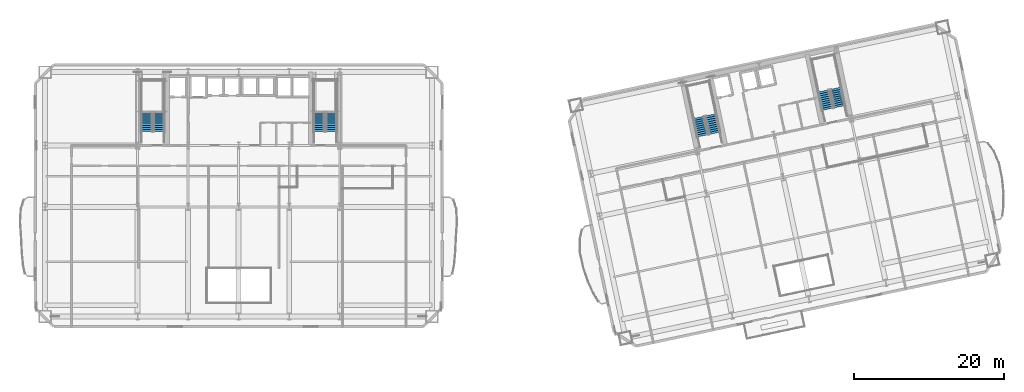
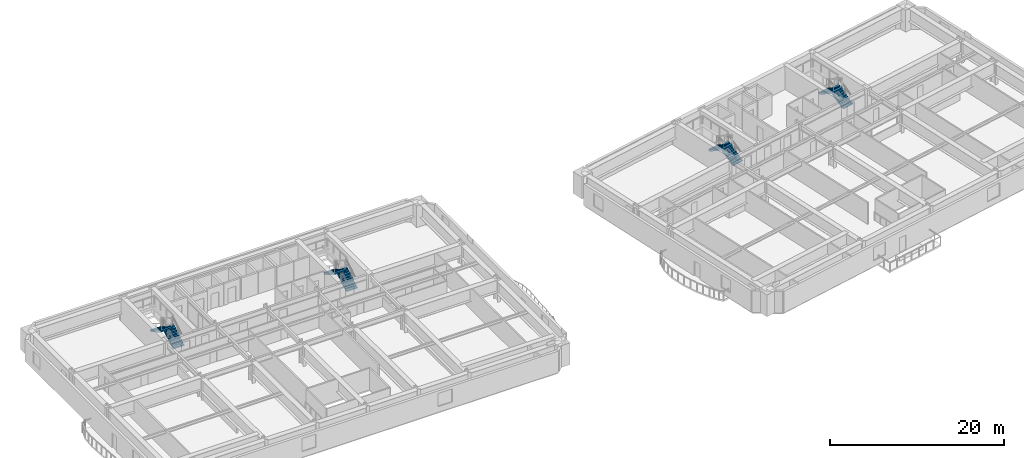
# One storey, part 11 of 18: 8 stair flights, 4 elements without a shape of their own.
"""IFC4 building model written with IfcOpenShell, lengths in metres."""

from ifc_helpers import new_model, si_unit, direction, frame, origin, place, context, subcontext, project, spatial, polyline, outline, extrude, material, type_object, element, aggregate, save


model = new_model("IFC4")

# Units and contexts
model_context = context("Model", 3, precision=1e-05, world=origin(), true_north=direction((0.0, 1.0)))
body_context = subcontext(model_context, "Body", "Model", "MODEL_VIEW")
ifc_project = project(units=[si_unit("LENGTHUNIT", "METRE"), si_unit("AREAUNIT", "SQUARE_METRE"), si_unit("VOLUMEUNIT", "CUBIC_METRE"), si_unit("PLANEANGLEUNIT", "RADIAN"), si_unit("MASSUNIT", "GRAM", prefix="KILO")], contexts=[model_context])

# Site, building, storey
site_placement = place(None, origin())
site = spatial("IfcSite", under=ifc_project, at=site_placement, CompositionType="ELEMENT")
building_placement = place(site_placement, origin())
building = spatial("IfcBuilding", under=site, at=building_placement, Name="Haevon Station Towers", CompositionType="ELEMENT")
storey_placement = place(building_placement, frame((0.0, 0.0, 47.10009765625)))
storey = spatial("IfcBuildingStorey", under=building, at=storey_placement, Name="L11", CompositionType="ELEMENT", Elevation=47.10009765625)

# Stair, stair flights
ifc_material = material(Name="Concrete C40/50", Category="concrete")
stair_type = type_object("IfcStairType", Name="STR-DL1450", PredefinedType="USERDEFINED", material=ifc_material)
stair_1_placement = place(storey_placement, origin())
stair_1 = element("IfcStair", 1, at=stair_1_placement, inside=storey, type_object=stair_type, Name="L11 Escape Stair ST1", ObjectType="TWO_RETURN_STAIR", PredefinedType="USERDEFINED")
stair_flight_type = type_object("IfcStairFlightType", Name="STF-ST1450", PredefinedType="STRAIGHT", material=ifc_material)
stair_flight_1_placement = place(storey_placement, frame((26.85498046875, 40.050048828125, 0.0), z_axis=(0.0, 0.0, 1.0), x_axis=(0.0, 1.0, 0.0)))
stair_flight_1 = element("IfcStairFlight", 2, at=stair_flight_1_placement, type_object=stair_flight_type, Name="L11 ST1 Flight 1", NumberOfRisers=10, NumberOfTreads=9, PredefinedType="STRAIGHT", RiserHeight=0.165, TreadLength=0.28, context=body_context, shape_type="SweptSolid", body=[
    extrude(outline(polyline([(0.0, 0.0), (0.0, 0.1650390625), (0.280029296875, 0.1650390625), (0.280029296875, 0.330078125), (0.56005859375, 0.330078125), (0.56005859375, 0.4951171875), (0.840087890625, 0.4951171875), (0.840087890625, 0.659912109375), (1.1201171875, 0.659912109375), (1.1201171875, 0.824951171875), (1.39990234375, 0.824951171875), (1.39990234375, 0.989990234375), (1.679931640625, 0.989990234375), (1.679931640625, 1.155029296875), (1.9599609375, 1.155029296875), (1.9599609375, 1.320068359375), (2.239990234375, 1.320068359375), (2.239990234375, 1.485107421875), (2.52001953125, 1.485107421875), (2.52001953125, 1.64990234375), (2.52001953125, 1.29931640625), (0.31494140625, 0.0), (0.0, 0.0)])), frame((0.0, 0.72509765625, 0.0), z_axis=(0.0, -1.0, 0.0), x_axis=(1.0, 0.0, 0.0)), (0.0, 0.0, 1.0), 1.449951171875),
])
stair_flight_2_placement = place(storey_placement, frame((25.205078125, 42.570068359375, 1.64990234375), z_axis=(0.0, 0.0, 1.0), x_axis=(0.0, -1.0, 0.0)))
stair_flight_2 = element("IfcStairFlight", 3, at=stair_flight_2_placement, type_object=stair_flight_type, Name="L11 ST1 Flight 2", NumberOfRisers=10, NumberOfTreads=9, PredefinedType="STRAIGHT", RiserHeight=0.165, TreadLength=0.28, context=body_context, shape_type="SweptSolid", body=[
    extrude(outline(polyline([(0.0, 0.0), (0.0, 0.1650390625), (0.280029296875, 0.1650390625), (0.280029296875, 0.330078125), (0.56005859375, 0.330078125), (0.56005859375, 0.4951171875), (0.840087890625, 0.4951171875), (0.840087890625, 0.659912109375), (1.1201171875, 0.659912109375), (1.1201171875, 0.824951171875), (1.39990234375, 0.824951171875), (1.39990234375, 0.989990234375), (1.679931640625, 0.989990234375), (1.679931640625, 1.155029296875), (1.9599609375, 1.155029296875), (1.9599609375, 1.320068359375), (2.239990234375, 1.320068359375), (2.239990234375, 1.485107421875), (2.52001953125, 1.485107421875), (2.52001953125, 1.64990234375), (2.52001953125, 1.29931640625), (0.31494140625, 0.0), (0.0, 0.0)])), frame((0.0, 0.72509765625, 0.0), z_axis=(0.0, -1.0, 0.0), x_axis=(1.0, 0.0, 0.0)), (0.0, 0.0, 1.0), 1.449951171875),
])
aggregate(stair_1, [stair_flight_1, stair_flight_2])

stair_2_placement = place(storey_placement, origin())
stair_2 = element("IfcStair", 4, at=stair_2_placement, inside=storey, type_object=stair_type, Name="L11 Escape Stair ST2", ObjectType="TWO_RETURN_STAIR", PredefinedType="USERDEFINED")
stair_flight_3_placement = place(storey_placement, frame((49.89501953125, 40.050048828125, 0.0), z_axis=(0.0, 0.0, 1.0), x_axis=(0.0, 1.0, 0.0)))
stair_flight_3 = element("IfcStairFlight", 5, at=stair_flight_3_placement, type_object=stair_flight_type, Name="L11 ST2 Flight 1", NumberOfRisers=10, NumberOfTreads=9, PredefinedType="STRAIGHT", RiserHeight=0.165, TreadLength=0.28, context=body_context, shape_type="SweptSolid", body=[
    extrude(outline(polyline([(0.0, 0.0), (0.0, 0.1650390625), (0.280029296875, 0.1650390625), (0.280029296875, 0.330078125), (0.56005859375, 0.330078125), (0.56005859375, 0.4951171875), (0.840087890625, 0.4951171875), (0.840087890625, 0.659912109375), (1.1201171875, 0.659912109375), (1.1201171875, 0.824951171875), (1.39990234375, 0.824951171875), (1.39990234375, 0.989990234375), (1.679931640625, 0.989990234375), (1.679931640625, 1.155029296875), (1.9599609375, 1.155029296875), (1.9599609375, 1.320068359375), (2.239990234375, 1.320068359375), (2.239990234375, 1.485107421875), (2.52001953125, 1.485107421875), (2.52001953125, 1.64990234375), (2.52001953125, 1.29931640625), (0.31494140625, 0.0), (0.0, 0.0)])), frame((0.0, 0.72509765625, 0.0), z_axis=(0.0, -1.0, 0.0), x_axis=(1.0, 0.0, 0.0)), (0.0, 0.0, 1.0), 1.449951171875),
])
stair_flight_4_placement = place(storey_placement, frame((48.2451171875, 42.570068359375, 1.64990234375), z_axis=(0.0, 0.0, 1.0), x_axis=(0.0, -1.0, 0.0)))
stair_flight_4 = element("IfcStairFlight", 6, at=stair_flight_4_placement, type_object=stair_flight_type, Name="L11 ST2 Flight 2", NumberOfRisers=10, NumberOfTreads=9, PredefinedType="STRAIGHT", RiserHeight=0.165, TreadLength=0.28, context=body_context, shape_type="SweptSolid", body=[
    extrude(outline(polyline([(0.0, 0.0), (0.0, 0.1650390625), (0.280029296875, 0.1650390625), (0.280029296875, 0.330078125), (0.56005859375, 0.330078125), (0.56005859375, 0.4951171875), (0.840087890625, 0.4951171875), (0.840087890625, 0.659912109375), (1.1201171875, 0.659912109375), (1.1201171875, 0.824951171875), (1.39990234375, 0.824951171875), (1.39990234375, 0.989990234375), (1.679931640625, 0.989990234375), (1.679931640625, 1.155029296875), (1.9599609375, 1.155029296875), (1.9599609375, 1.320068359375), (2.239990234375, 1.320068359375), (2.239990234375, 1.485107421875), (2.52001953125, 1.485107421875), (2.52001953125, 1.64990234375), (2.52001953125, 1.29931640625), (0.31494140625, 0.0), (0.0, 0.0)])), frame((0.0, 0.72509765625, 0.0), z_axis=(0.0, -1.0, 0.0), x_axis=(1.0, 0.0, 0.0)), (0.0, 0.0, 1.0), 1.449951171875),
])
aggregate(stair_2, [stair_flight_3, stair_flight_4])

stair_3_placement = place(storey_placement, origin())
stair_3 = element("IfcStair", 7, at=stair_3_placement, inside=storey, type_object=stair_type, Name="L11 Escape Stair ST3", ObjectType="TWO_RETURN_STAIR", PredefinedType="USERDEFINED")
stair_flight_5_placement = place(storey_placement, frame((101.1015625, 39.8330078125, 0.0), z_axis=(0.0, 0.0, 1.0), x_axis=(-0.207911690818, 0.978147600734, 0.0)))
stair_flight_5 = element("IfcStairFlight", 8, at=stair_flight_5_placement, type_object=stair_flight_type, Name="L11 ST3 Flight 1", NumberOfRisers=10, NumberOfTreads=9, PredefinedType="STRAIGHT", RiserHeight=0.165, TreadLength=0.28, context=body_context, shape_type="SweptSolid", body=[
    extrude(outline(polyline([(0.0, 0.0), (0.0, 0.1650390625), (0.280029296875, 0.1650390625), (0.280029296875, 0.330078125), (0.56005859375, 0.330078125), (0.56005859375, 0.4951171875), (0.840087890625, 0.4951171875), (0.840087890625, 0.659912109375), (1.1201171875, 0.659912109375), (1.1201171875, 0.824951171875), (1.39990234375, 0.824951171875), (1.39990234375, 0.989990234375), (1.679931640625, 0.989990234375), (1.679931640625, 1.155029296875), (1.9599609375, 1.155029296875), (1.9599609375, 1.320068359375), (2.239990234375, 1.320068359375), (2.239990234375, 1.485107421875), (2.52001953125, 1.485107421875), (2.52001953125, 1.64990234375), (2.52001953125, 1.29931640625), (0.31494140625, 0.0), (0.0, 0.0)])), frame((0.0, 0.72509765625, 0.0), z_axis=(0.0, -1.0, 0.0), x_axis=(1.0, 0.0, 0.0)), (0.0, 0.0, 1.0), 1.449951171875),
])
stair_flight_6_placement = place(storey_placement, frame((98.9638671875, 41.955078125, 1.64990234375), z_axis=(0.0, 0.0, 1.0), x_axis=(0.207911690818, -0.978147600734, 0.0)))
stair_flight_6 = element("IfcStairFlight", 9, at=stair_flight_6_placement, type_object=stair_flight_type, Name="L11 ST3 Flight 2", NumberOfRisers=10, NumberOfTreads=9, PredefinedType="STRAIGHT", RiserHeight=0.165, TreadLength=0.28, context=body_context, shape_type="SweptSolid", body=[
    extrude(outline(polyline([(0.0, 0.0), (0.0, 0.1650390625), (0.280029296875, 0.1650390625), (0.280029296875, 0.330078125), (0.56005859375, 0.330078125), (0.56005859375, 0.4951171875), (0.840087890625, 0.4951171875), (0.840087890625, 0.659912109375), (1.1201171875, 0.659912109375), (1.1201171875, 0.824951171875), (1.39990234375, 0.824951171875), (1.39990234375, 0.989990234375), (1.679931640625, 0.989990234375), (1.679931640625, 1.155029296875), (1.9599609375, 1.155029296875), (1.9599609375, 1.320068359375), (2.239990234375, 1.320068359375), (2.239990234375, 1.485107421875), (2.52001953125, 1.485107421875), (2.52001953125, 1.64990234375), (2.52001953125, 1.29931640625), (0.31494140625, 0.0), (0.0, 0.0)])), frame((0.0, 0.72509765625, 0.0), z_axis=(0.0, -1.0, 0.0), x_axis=(1.0, 0.0, 0.0)), (0.0, 0.0, 1.0), 1.449951171875),
])
aggregate(stair_3, [stair_flight_5, stair_flight_6])

stair_4_placement = place(storey_placement, origin())
stair_4 = element("IfcStair", 10, at=stair_4_placement, inside=storey, type_object=stair_type, Name="L11 Escape Stair ST4", ObjectType="TWO_RETURN_STAIR", PredefinedType="USERDEFINED")
stair_flight_7_placement = place(storey_placement, frame((117.788818359375, 43.380126953125, 0.0), z_axis=(0.0, 0.0, 1.0), x_axis=(-0.207911690818, 0.978147600734, 0.0)))
stair_flight_7 = element("IfcStairFlight", 11, at=stair_flight_7_placement, type_object=stair_flight_type, Name="L11 ST4 Flight 1", NumberOfRisers=10, NumberOfTreads=9, PredefinedType="STRAIGHT", RiserHeight=0.165, TreadLength=0.28, context=body_context, shape_type="SweptSolid", body=[
    extrude(outline(polyline([(0.0, 0.0), (0.0, 0.1650390625), (0.280029296875, 0.1650390625), (0.280029296875, 0.330078125), (0.56005859375, 0.330078125), (0.56005859375, 0.4951171875), (0.840087890625, 0.4951171875), (0.840087890625, 0.659912109375), (1.1201171875, 0.659912109375), (1.1201171875, 0.824951171875), (1.39990234375, 0.824951171875), (1.39990234375, 0.989990234375), (1.679931640625, 0.989990234375), (1.679931640625, 1.155029296875), (1.9599609375, 1.155029296875), (1.9599609375, 1.320068359375), (2.239990234375, 1.320068359375), (2.239990234375, 1.485107421875), (2.52001953125, 1.485107421875), (2.52001953125, 1.64990234375), (2.52001953125, 1.29931640625), (0.31494140625, 0.0), (0.0, 0.0)])), frame((0.0, 0.72509765625, 0.0), z_axis=(0.0, -1.0, 0.0), x_axis=(1.0, 0.0, 0.0)), (0.0, 0.0, 1.0), 1.449951171875),
])
stair_flight_8_placement = place(storey_placement, frame((115.65087890625, 45.501953125, 1.64990234375), z_axis=(0.0, 0.0, 1.0), x_axis=(0.207911690818, -0.978147600734, 0.0)))
stair_flight_8 = element("IfcStairFlight", 12, at=stair_flight_8_placement, type_object=stair_flight_type, Name="L11 ST4 Flight 2", NumberOfRisers=10, NumberOfTreads=9, PredefinedType="STRAIGHT", RiserHeight=0.165, TreadLength=0.28, context=body_context, shape_type="SweptSolid", body=[
    extrude(outline(polyline([(0.0, 0.0), (0.0, 0.1650390625), (0.280029296875, 0.1650390625), (0.280029296875, 0.330078125), (0.56005859375, 0.330078125), (0.56005859375, 0.4951171875), (0.840087890625, 0.4951171875), (0.840087890625, 0.659912109375), (1.1201171875, 0.659912109375), (1.1201171875, 0.824951171875), (1.39990234375, 0.824951171875), (1.39990234375, 0.989990234375), (1.679931640625, 0.989990234375), (1.679931640625, 1.155029296875), (1.9599609375, 1.155029296875), (1.9599609375, 1.320068359375), (2.239990234375, 1.320068359375), (2.239990234375, 1.485107421875), (2.52001953125, 1.485107421875), (2.52001953125, 1.64990234375), (2.52001953125, 1.29931640625), (0.31494140625, 0.0), (0.0, 0.0)])), frame((0.0, 0.72509765625, 0.0), z_axis=(0.0, -1.0, 0.0), x_axis=(1.0, 0.0, 0.0)), (0.0, 0.0, 1.0), 1.449951171875),
])
aggregate(stair_4, [stair_flight_7, stair_flight_8])

save(model, "model.ifc")
